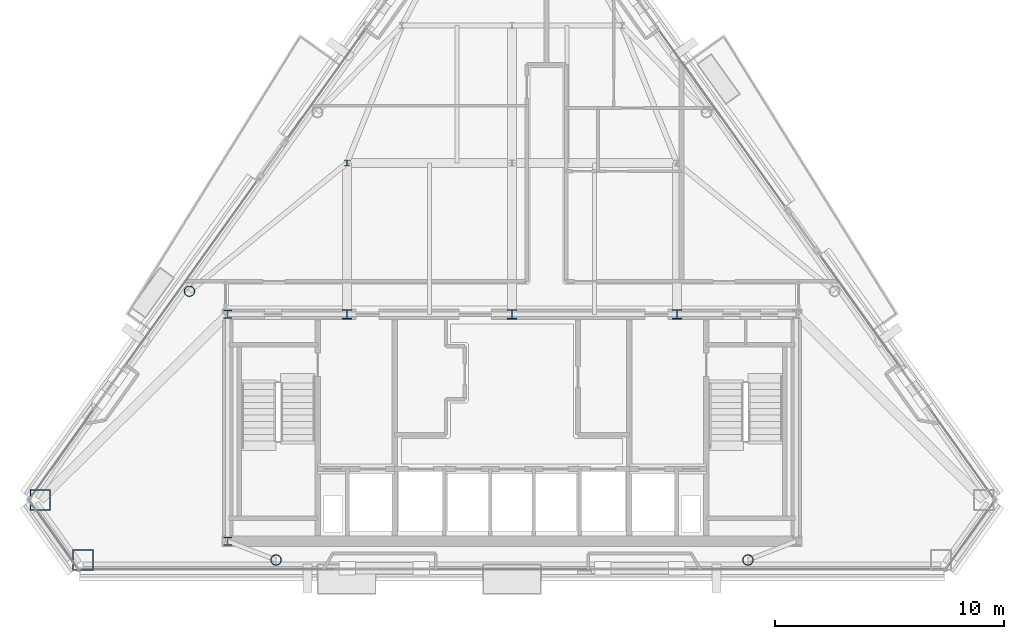
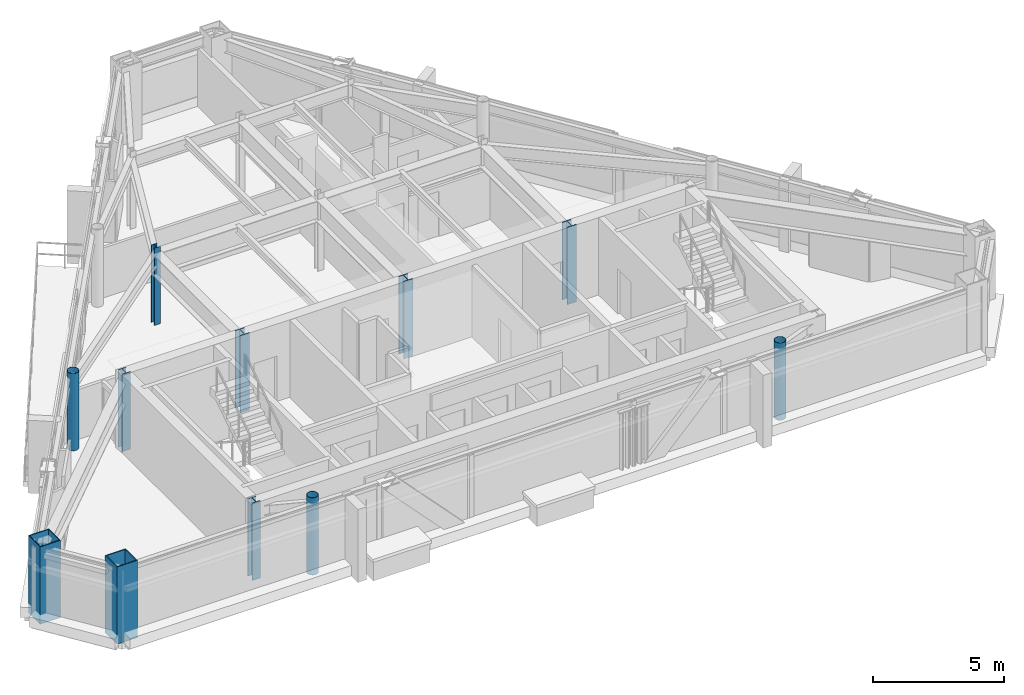
# One storey, part 1 of 12: 11 columns.
"""IFC4 building model written with IfcOpenShell, lengths in metres."""

from ifc_helpers import new_model, si_unit, direction, frame, origin, origin_2d, place, context, subcontext, project, spatial, hollow_rectangle, hollow_circle, i_section, extrude, material, material_profile, profile_set, type_object, element, save


model = new_model("IFC4")

# Units and contexts
model_context = context("Model", 3, precision=1e-05, world=origin(), true_north=direction((0.0, 1.0)))
body_context = subcontext(model_context, "Body", "Model", "MODEL_VIEW")
ifc_project = project(units=[si_unit("LENGTHUNIT", "METRE"), si_unit("AREAUNIT", "SQUARE_METRE"), si_unit("VOLUMEUNIT", "CUBIC_METRE"), si_unit("PLANEANGLEUNIT", "RADIAN"), si_unit("MASSUNIT", "GRAM", prefix="KILO")], contexts=[model_context])

# Site, building, storey
site_placement = place(None, origin())
site = spatial("IfcSite", under=ifc_project, at=site_placement, CompositionType="ELEMENT")
building_placement = place(site_placement, origin())
building = spatial("IfcBuilding", under=site, at=building_placement, Name="Talgorran Terracotta Tower", CompositionType="ELEMENT")
storey_placement = place(building_placement, frame((0.0, 0.0, 267.0)))
storey = spatial("IfcBuildingStorey", under=building, at=storey_placement, Name="L70", CompositionType="ELEMENT", Elevation=267.0)

# Columns
ifc_material_1 = material(Name="Steel S355 (300PLUS)", Category="steel")
ifc_material_profile_1 = material_profile(ifc_material_1, i_section(OverallWidth=0.256103515625, OverallDepth=0.260009765625, WebThickness=0.010498046875, FlangeThickness=0.017333984375, at=origin_2d()), Name="250UC89.5")
ifc_profile_set_1 = profile_set([ifc_material_profile_1], Name="Steel S355 (300PLUS)")
column_type_1 = type_object("IfcColumnType", Name="COL_250UC89", PredefinedType="COLUMN", material=ifc_profile_set_1)
column_placement = place(storey_placement, frame((-7.199951171875, 2.39990234375, 0.0), z_axis=(0.0, 0.0, 1.0), x_axis=(1.0, 0.0, 0.0)))
element("IfcColumn", 1, at=column_placement, inside=storey, type_object=column_type_1, Name="L70 Interior Gravity Column IC1", PredefinedType="COLUMN", context=body_context, shape_type="SweptSolid", body=[
    extrude(i_section(OverallWidth=0.256103515625, OverallDepth=0.260009765625, WebThickness=0.010498046875, FlangeThickness=0.017333984375, at=origin_2d()), origin(), (0.0, 0.0, 1.0), 3.60009765625),
])
ifc_material_profile_2 = material_profile(ifc_material_1, i_section(OverallWidth=0.35205078125, OverallDepth=0.35888671875, WebThickness=0.01806640625, FlangeThickness=0.02587890625, at=origin_2d()), Name="350WC197")
ifc_profile_set_2 = profile_set([ifc_material_profile_2], Name="Steel S355 (300PLUS)")
column_type_2 = type_object("IfcColumnType", Name="COL_350WC197", PredefinedType="COLUMN", material=ifc_profile_set_2)
for number, where, z_axis, x_axis, name in (
    (2, (-12.39990234375, -14.10009765625, 0.0), (0.0, 0.0, 1.0), (1.0, 0.0, 0.0), "L70 Core Boundary Column CC1"),
    (3, (-12.39990234375, -4.199951171875, 0.0), (0.0, 0.0, 1.0), (1.0, 0.0, 0.0), "L70 Core Boundary Column CC4"),
):
    element("IfcColumn", number, at=place(storey_placement, frame(where, z_axis=z_axis, x_axis=x_axis)), inside=storey, type_object=column_type_2, Name=name, PredefinedType="COLUMN", context=body_context, shape_type="SweptSolid", body=[
        extrude(i_section(OverallWidth=0.35205078125, OverallDepth=0.35888671875, WebThickness=0.01806640625, FlangeThickness=0.02587890625, at=origin_2d()), origin(), (0.0, 0.0, 1.0), 3.60009765625),
    ])
ifc_material_2 = material(Name="Steel Grade 350 (350L0)", Category="steel")
ifc_material_profile_3 = material_profile(ifc_material_2, hollow_rectangle(XDim=0.89990234375, YDim=0.89990234375, WallThickness=0.0400390625, at=origin_2d()), Name="CFT900X900X40")
ifc_profile_set_3 = profile_set([ifc_material_profile_3], Name="Steel Grade 350 (350L0)")
column_type_3 = type_object("IfcColumnType", Name="COL_CFT_900", PredefinedType="COLUMN", material=ifc_profile_set_3)
for number, where, z_axis, x_axis, name in (
    (4, (-20.5849609375, -12.303466796875, 0.0), (0.0, 0.0, 1.0), (1.0, 0.0, 0.0), "L70 Corner CFT Mega-Column MC1"),
    (5, (-18.71435546875, -14.9189453125, 0.0), (0.0, 0.0, 1.0), (1.0, 0.0, 0.0), "L70 Corner CFT Mega-Column MC2"),
):
    element("IfcColumn", number, at=place(storey_placement, frame(where, z_axis=z_axis, x_axis=x_axis)), inside=storey, type_object=column_type_3, Name=name, PredefinedType="COLUMN", context=body_context, shape_type="SweptSolid", body=[
        extrude(hollow_rectangle(XDim=0.89990234375, YDim=0.89990234375, WallThickness=0.0400390625, at=origin_2d()), origin(), (0.0, 0.0, 1.0), 3.60009765625),
    ])
ifc_material_3 = material(Name="Steel S350 (C350L0)", Category="steel")
ifc_material_profile_4 = material_profile(ifc_material_3, hollow_circle(Radius=0.228515625, WallThickness=0.01611328125, at=origin_2d()), Name="CHS457X16")
ifc_profile_set_4 = profile_set([ifc_material_profile_4], Name="Steel S350 (C350L0)")
column_type_4 = type_object("IfcColumnType", Name="COL_CHS_457", PredefinedType="COLUMN", material=ifc_profile_set_4)
for number, where, z_axis, x_axis, name in (
    (6, (-10.29296875, -14.9189453125, 0.0), (0.0, 0.0, 1.0), (1.0, 0.0, 0.0), "L70 Facet Perimeter Column FC1"),
    (7, (10.29296875, -14.9189453125, 0.0), (0.0, 0.0, 1.0), (1.0, 0.0, 0.0), "L70 Facet Perimeter Column FC2"),
    (8, (-14.071533203125, -3.1962890625, 0.0), (0.0, 0.0, 1.0), (1.0, 0.0, 0.0), "L70 Facet Perimeter Column FC6"),
):
    element("IfcColumn", number, at=place(storey_placement, frame(where, z_axis=z_axis, x_axis=x_axis)), inside=storey, type_object=column_type_4, Name=name, PredefinedType="COLUMN", context=body_context, shape_type="SweptSolid", body=[
        extrude(hollow_circle(Radius=0.228515625, WallThickness=0.01611328125, at=origin_2d()), origin(), (0.0, 0.0, 1.0), 3.60009765625),
    ])
ifc_material_profile_5 = material_profile(ifc_material_1, i_section(OverallWidth=0.405029296875, OverallDepth=0.4140625, WebThickness=0.02197265625, FlangeThickness=0.031982421875, at=origin_2d()), Name="400WC270")
ifc_profile_set_5 = profile_set([ifc_material_profile_5], Name="Steel S355 (300PLUS)")
column_type_5 = type_object("IfcColumnType", Name="COL_PIL_400WC270", PredefinedType="PILASTER", material=ifc_profile_set_5)
for number, where, z_axis, x_axis, name in (
    (9, (-7.199951171875, -4.199951171875, 0.0), (0.0, 0.0, 1.0), (1.0, 0.0, 0.0), "L70 Core Shear Pilaster CP1"),
    (10, (0.0, -4.199951171875, 0.0), (0.0, 0.0, 1.0), (1.0, 0.0, 0.0), "L70 Core Shear Pilaster CP2"),
    (11, (7.199951171875, -4.199951171875, 0.0), (0.0, 0.0, 1.0), (1.0, 0.0, 0.0), "L70 Core Shear Pilaster CP3"),
):
    element("IfcColumn", number, at=place(storey_placement, frame(where, z_axis=z_axis, x_axis=x_axis)), inside=storey, type_object=column_type_5, Name=name, PredefinedType="PILASTER", context=body_context, shape_type="SweptSolid", body=[
        extrude(i_section(OverallWidth=0.405029296875, OverallDepth=0.4140625, WebThickness=0.02197265625, FlangeThickness=0.031982421875, at=origin_2d()), origin(), (0.0, 0.0, 1.0), 3.60009765625),
    ])

save(model, "model.ifc")
